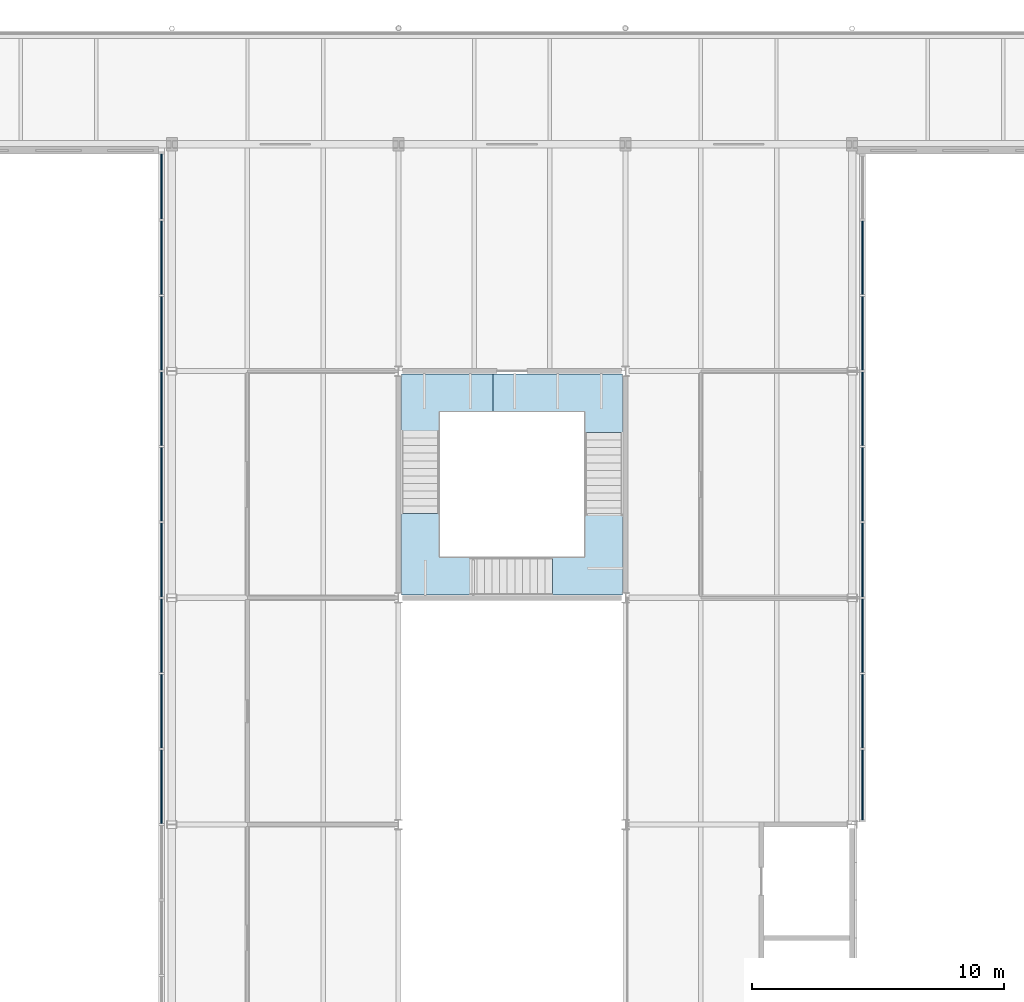
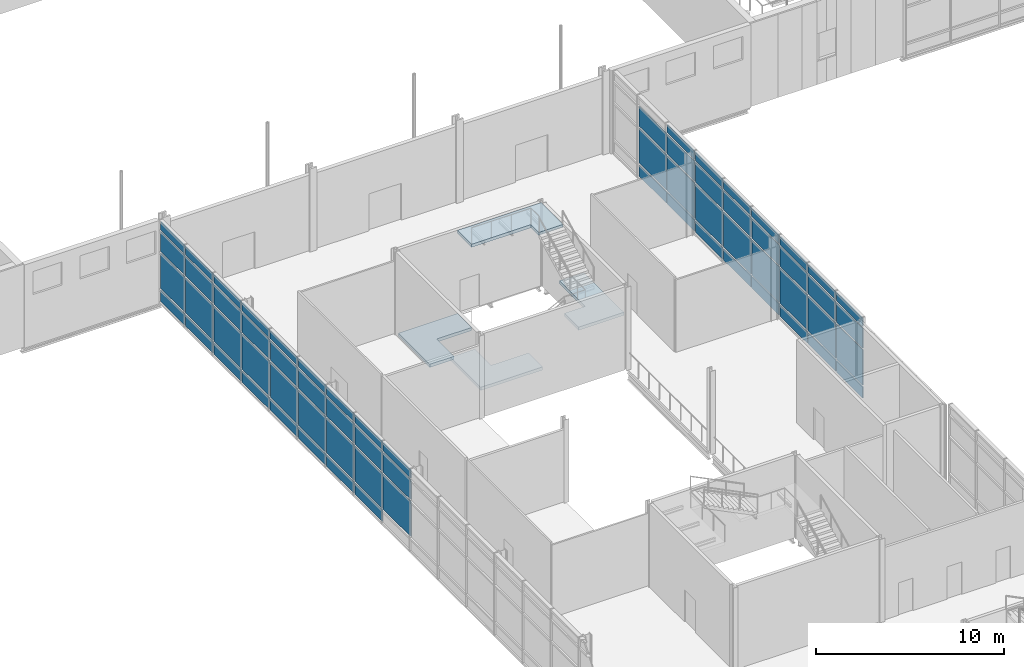
# One storey, part 33 of 56: 66 plates, 4 slabs, 3 elements without a shape of their own.
"""IFC4 building model written with IfcOpenShell, lengths in metres."""

from ifc_helpers import new_model, si_unit, direction, frame, origin, origin_2d, place, context, subcontext, project, spatial, polyline, rectangle, outline, extrude, material, layer, layer_set, type_object, element, aggregate, save


model = new_model("IFC4")

# Units and contexts
model_context = context("Model", 3, precision=1e-05, world=origin(), true_north=direction((0.0, 1.0)))
body_context = subcontext(model_context, "Body", "Model", "MODEL_VIEW")
ifc_project = project(units=[si_unit("LENGTHUNIT", "METRE"), si_unit("AREAUNIT", "SQUARE_METRE"), si_unit("VOLUMEUNIT", "CUBIC_METRE"), si_unit("PLANEANGLEUNIT", "RADIAN"), si_unit("MASSUNIT", "GRAM", prefix="KILO")], contexts=[model_context])

# Site, building, storey
site_placement = place(None, origin())
site = spatial("IfcSite", under=ifc_project, at=site_placement, CompositionType="ELEMENT")
building_placement = place(site_placement, origin())
building = spatial("IfcBuilding", under=site, at=building_placement, Name="Azimuth Sports and Learning Centre", CompositionType="ELEMENT")
storey_placement = place(building_placement, frame((0.0, 0.0, 5.39990234375)))
storey = spatial("IfcBuildingStorey", under=building, at=storey_placement, Name="L01", CompositionType="ELEMENT", Elevation=5.39990234375)

# Stair, slabs
ifc_material_1 = material(Name="Concrete C32/40", Category="concrete")
stair_type = type_object("IfcStairType", Name="Square-well stair stem cell 5400 storey", PredefinedType="THREE_QUARTER_TURN_STAIR", material=ifc_material_1)
stair_placement = place(storey_placement, origin())
stair = element("IfcStair", 1, at=stair_placement, inside=storey, type_object=stair_type, Name="Stair STD L01-L02", PredefinedType="THREE_QUARTER_TURN_STAIR")
ifc_material_2 = material(Name="Concrete C32/40", Category="concrete")
ifc_layer_1 = layer(ifc_material_2, 0.199951171875)
ifc_layer_set_1 = layer_set([ifc_layer_1], Name="Concrete C32/40")
slab_type = type_object("IfcSlabType", Name="Concrete stair landing", PredefinedType="LANDING", material=ifc_layer_set_1)
slab_1_placement = place(storey_placement, frame((0.0, 0.0, -0.199951171875)))
slab_1 = element("IfcSlab", 2, at=slab_1_placement, type_object=slab_type, Name="Stair STD L01 landing 1", PredefinedType="LANDING", context=body_context, shape_type="SweptSolid", body=[
    extrude(outline(polyline([(82.610107421875, 77.5400390625), (82.610107421875, 79.389892578125), (84.75, 79.389892578125), (84.75, 80.889892578125), (81.110107421875, 80.889892578125), (81.110107421875, 77.5400390625), (82.610107421875, 77.5400390625)])), origin(), (0.0, 0.0, 1.0), 0.199951171875),
])
slab_2_placement = place(storey_placement, frame((0.0, 0.0, 1.60009765625)))
slab_2 = element("IfcSlab", 3, at=slab_2_placement, type_object=slab_type, Name="Stair STD L01 landing 2", PredefinedType="LANDING", context=body_context, shape_type="SweptSolid", body=[
    extrude(outline(polyline([(82.610107421875, 73.610107421875), (82.610107421875, 75.3408203125), (81.110107421875, 75.3408203125), (81.110107421875, 72.110107421875), (84.909912109375, 72.110107421875), (84.909912109375, 73.610107421875), (82.610107421875, 73.610107421875)])), origin(), (0.0, 0.0, 1.0), 0.199951171875),
])
slab_3_placement = place(storey_placement, frame((0.0, 0.0, 3.400146484375)))
slab_3 = element("IfcSlab", 4, at=slab_3_placement, type_object=slab_type, Name="Stair STD L01 landing 3", PredefinedType="LANDING", context=body_context, shape_type="SweptSolid", body=[
    extrude(outline(polyline([(88.389892578125, 73.610107421875), (87.109375, 73.610107421875), (87.109375, 72.110107421875), (89.889892578125, 72.110107421875), (89.889892578125, 76.360107421875), (88.389892578125, 76.360107421875), (88.389892578125, 73.610107421875)])), origin(), (0.0, 0.0, 1.0), 0.199951171875),
])
slab_4_placement = place(storey_placement, frame((0.0, 0.0, 5.2001953125)))
slab_4 = element("IfcSlab", 5, at=slab_4_placement, type_object=slab_type, Name="Stair STD L01 landing 4", PredefinedType="LANDING", context=body_context, shape_type="SweptSolid", body=[
    extrude(outline(polyline([(88.389892578125, 79.389892578125), (88.389892578125, 78.559326171875), (89.889892578125, 78.559326171875), (89.889892578125, 80.889892578125), (84.75, 80.889892578125), (84.75, 79.389892578125), (88.389892578125, 79.389892578125)])), origin(), (0.0, 0.0, 1.0), 0.199951171875),
])
aggregate(stair, [slab_1, slab_2, slab_3, slab_4])

# Curtain wall, plates
ifc_material_3 = material(Name="Aluminium and glass", Category="aluminium")
curtain_wall_type = type_object("IfcCurtainWallType", Name="Curtain wall podium stem 240", PredefinedType="NOTDEFINED", material=ifc_material_3)
curtain_wall_1_placement = place(storey_placement, origin())
curtain_wall_1 = element("IfcCurtainWall", 6, at=curtain_wall_1_placement, inside=storey, type_object=curtain_wall_type, Name="Curtain wall CW01-003", PredefinedType="NOTDEFINED")
ifc_material_4 = material(Name="Insulated aluminium panel", Category="aluminium")
ifc_layer_2 = layer(ifc_material_4, 0.06005859375)
ifc_layer_set_2 = layer_set([ifc_layer_2], Name="Insulated aluminium panel")
plate_type_1 = type_object("IfcPlateType", Name="Spandrel panel 60 mm", PredefinedType="CURTAIN_PANEL", material=ifc_layer_set_2)
plate_1_placement = place(storey_placement, frame((71.580078125, 88.330078125, 0.1201171875), z_axis=(0.0, 0.0, 1.0), x_axis=(0.0, -1.0, 0.0)))
plate_1 = element("IfcPlate", 7, at=plate_1_placement, type_object=plate_type_1, Name="CW01-003 panel 1.1", PredefinedType="CURTAIN_PANEL", context=body_context, shape_type="SweptSolid", body=[
    extrude(rectangle(XDim=2.580078125, YDim=0.06005859375, at=origin_2d()), origin(), (0.0, 0.0, 1.0), 0.719970703125),
])
plate_2_placement = place(storey_placement, frame((71.580078125, 88.330078125, 4.760009765625), z_axis=(0.0, 0.0, 1.0), x_axis=(0.0, -1.0, 0.0)))
plate_2 = element("IfcPlate", 8, at=plate_2_placement, type_object=plate_type_1, Name="CW01-003 panel 1.4", PredefinedType="CURTAIN_PANEL", context=body_context, shape_type="SweptSolid", body=[
    extrude(rectangle(XDim=2.580078125, YDim=0.06005859375, at=origin_2d()), origin(), (0.0, 0.0, 1.0), 0.52001953125),
])
plate_3_placement = place(storey_placement, frame((71.580078125, 85.5, 0.1201171875), z_axis=(0.0, 0.0, 1.0), x_axis=(0.0, -1.0, 0.0)))
plate_3 = element("IfcPlate", 9, at=plate_3_placement, type_object=plate_type_1, Name="CW01-003 panel 2.1", PredefinedType="CURTAIN_PANEL", context=body_context, shape_type="SweptSolid", body=[
    extrude(rectangle(XDim=2.919921875, YDim=0.06005859375, at=origin_2d()), origin(), (0.0, 0.0, 1.0), 0.719970703125),
])
plate_4_placement = place(storey_placement, frame((71.580078125, 85.5, 4.760009765625), z_axis=(0.0, 0.0, 1.0), x_axis=(0.0, -1.0, 0.0)))
plate_4 = element("IfcPlate", 10, at=plate_4_placement, type_object=plate_type_1, Name="CW01-003 panel 2.4", PredefinedType="CURTAIN_PANEL", context=body_context, shape_type="SweptSolid", body=[
    extrude(rectangle(XDim=2.919921875, YDim=0.06005859375, at=origin_2d()), origin(), (0.0, 0.0, 1.0), 0.52001953125),
])
plate_5_placement = place(storey_placement, frame((71.580078125, 82.5, 0.1201171875), z_axis=(0.0, 0.0, 1.0), x_axis=(0.0, -1.0, 0.0)))
plate_5 = element("IfcPlate", 11, at=plate_5_placement, type_object=plate_type_1, Name="CW01-003 panel 3.1", PredefinedType="CURTAIN_PANEL", context=body_context, shape_type="SweptSolid", body=[
    extrude(rectangle(XDim=2.919921875, YDim=0.06005859375, at=origin_2d()), origin(), (0.0, 0.0, 1.0), 0.719970703125),
])
plate_6_placement = place(storey_placement, frame((71.580078125, 82.5, 4.760009765625), z_axis=(0.0, 0.0, 1.0), x_axis=(0.0, -1.0, 0.0)))
plate_6 = element("IfcPlate", 12, at=plate_6_placement, type_object=plate_type_1, Name="CW01-003 panel 3.4", PredefinedType="CURTAIN_PANEL", context=body_context, shape_type="SweptSolid", body=[
    extrude(rectangle(XDim=2.919921875, YDim=0.06005859375, at=origin_2d()), origin(), (0.0, 0.0, 1.0), 0.52001953125),
])
plate_7_placement = place(storey_placement, frame((71.580078125, 79.5, 0.1201171875), z_axis=(0.0, 0.0, 1.0), x_axis=(0.0, -1.0, 0.0)))
plate_7 = element("IfcPlate", 13, at=plate_7_placement, type_object=plate_type_1, Name="CW01-003 panel 4.1", PredefinedType="CURTAIN_PANEL", context=body_context, shape_type="SweptSolid", body=[
    extrude(rectangle(XDim=2.919921875, YDim=0.06005859375, at=origin_2d()), origin(), (0.0, 0.0, 1.0), 0.719970703125),
])
plate_8_placement = place(storey_placement, frame((71.580078125, 79.5, 4.760009765625), z_axis=(0.0, 0.0, 1.0), x_axis=(0.0, -1.0, 0.0)))
plate_8 = element("IfcPlate", 14, at=plate_8_placement, type_object=plate_type_1, Name="CW01-003 panel 4.4", PredefinedType="CURTAIN_PANEL", context=body_context, shape_type="SweptSolid", body=[
    extrude(rectangle(XDim=2.919921875, YDim=0.06005859375, at=origin_2d()), origin(), (0.0, 0.0, 1.0), 0.52001953125),
])
plate_9_placement = place(storey_placement, frame((71.580078125, 76.5, 0.1201171875), z_axis=(0.0, 0.0, 1.0), x_axis=(0.0, -1.0, 0.0)))
plate_9 = element("IfcPlate", 15, at=plate_9_placement, type_object=plate_type_1, Name="CW01-003 panel 5.1", PredefinedType="CURTAIN_PANEL", context=body_context, shape_type="SweptSolid", body=[
    extrude(rectangle(XDim=2.919921875, YDim=0.06005859375, at=origin_2d()), origin(), (0.0, 0.0, 1.0), 0.719970703125),
])
plate_10_placement = place(storey_placement, frame((71.580078125, 76.5, 4.760009765625), z_axis=(0.0, 0.0, 1.0), x_axis=(0.0, -1.0, 0.0)))
plate_10 = element("IfcPlate", 16, at=plate_10_placement, type_object=plate_type_1, Name="CW01-003 panel 5.4", PredefinedType="CURTAIN_PANEL", context=body_context, shape_type="SweptSolid", body=[
    extrude(rectangle(XDim=2.919921875, YDim=0.06005859375, at=origin_2d()), origin(), (0.0, 0.0, 1.0), 0.52001953125),
])
plate_11_placement = place(storey_placement, frame((71.580078125, 73.5, 0.1201171875), z_axis=(0.0, 0.0, 1.0), x_axis=(0.0, -1.0, 0.0)))
plate_11 = element("IfcPlate", 17, at=plate_11_placement, type_object=plate_type_1, Name="CW01-003 panel 6.1", PredefinedType="CURTAIN_PANEL", context=body_context, shape_type="SweptSolid", body=[
    extrude(rectangle(XDim=2.919921875, YDim=0.06005859375, at=origin_2d()), origin(), (0.0, 0.0, 1.0), 0.719970703125),
])
plate_12_placement = place(storey_placement, frame((71.580078125, 73.5, 4.760009765625), z_axis=(0.0, 0.0, 1.0), x_axis=(0.0, -1.0, 0.0)))
plate_12 = element("IfcPlate", 18, at=plate_12_placement, type_object=plate_type_1, Name="CW01-003 panel 6.4", PredefinedType="CURTAIN_PANEL", context=body_context, shape_type="SweptSolid", body=[
    extrude(rectangle(XDim=2.919921875, YDim=0.06005859375, at=origin_2d()), origin(), (0.0, 0.0, 1.0), 0.52001953125),
])
plate_13_placement = place(storey_placement, frame((71.580078125, 70.5, 0.1201171875), z_axis=(0.0, 0.0, 1.0), x_axis=(0.0, -1.0, 0.0)))
plate_13 = element("IfcPlate", 19, at=plate_13_placement, type_object=plate_type_1, Name="CW01-003 panel 7.1", PredefinedType="CURTAIN_PANEL", context=body_context, shape_type="SweptSolid", body=[
    extrude(rectangle(XDim=2.919921875, YDim=0.06005859375, at=origin_2d()), origin(), (0.0, 0.0, 1.0), 0.719970703125),
])
plate_14_placement = place(storey_placement, frame((71.580078125, 70.5, 4.760009765625), z_axis=(0.0, 0.0, 1.0), x_axis=(0.0, -1.0, 0.0)))
plate_14 = element("IfcPlate", 20, at=plate_14_placement, type_object=plate_type_1, Name="CW01-003 panel 7.4", PredefinedType="CURTAIN_PANEL", context=body_context, shape_type="SweptSolid", body=[
    extrude(rectangle(XDim=2.919921875, YDim=0.06005859375, at=origin_2d()), origin(), (0.0, 0.0, 1.0), 0.52001953125),
])
plate_15_placement = place(storey_placement, frame((71.580078125, 67.5, 0.1201171875), z_axis=(0.0, 0.0, 1.0), x_axis=(0.0, -1.0, 0.0)))
plate_15 = element("IfcPlate", 21, at=plate_15_placement, type_object=plate_type_1, Name="CW01-003 panel 8.1", PredefinedType="CURTAIN_PANEL", context=body_context, shape_type="SweptSolid", body=[
    extrude(rectangle(XDim=2.919921875, YDim=0.06005859375, at=origin_2d()), origin(), (0.0, 0.0, 1.0), 0.719970703125),
])
plate_16_placement = place(storey_placement, frame((71.580078125, 67.5, 4.760009765625), z_axis=(0.0, 0.0, 1.0), x_axis=(0.0, -1.0, 0.0)))
plate_16 = element("IfcPlate", 22, at=plate_16_placement, type_object=plate_type_1, Name="CW01-003 panel 8.4", PredefinedType="CURTAIN_PANEL", context=body_context, shape_type="SweptSolid", body=[
    extrude(rectangle(XDim=2.919921875, YDim=0.06005859375, at=origin_2d()), origin(), (0.0, 0.0, 1.0), 0.52001953125),
])
plate_17_placement = place(storey_placement, frame((71.580078125, 64.5, 4.760009765625), z_axis=(0.0, 0.0, 1.0), x_axis=(0.0, -1.0, 0.0)))
plate_17 = element("IfcPlate", 23, at=plate_17_placement, type_object=plate_type_1, Name="CW01-003 panel 9.4", PredefinedType="CURTAIN_PANEL", context=body_context, shape_type="SweptSolid", body=[
    extrude(rectangle(XDim=2.919921875, YDim=0.06005859375, at=origin_2d()), origin(), (0.0, 0.0, 1.0), 0.52001953125),
])

curtain_wall_2_placement = place(storey_placement, origin())
curtain_wall_2 = element("IfcCurtainWall", 24, at=curtain_wall_2_placement, inside=storey, type_object=curtain_wall_type, Name="Curtain wall CW01-008", PredefinedType="NOTDEFINED")
plate_18_placement = place(storey_placement, frame((99.419921875, 64.570068359375, 0.1201171875), z_axis=(0.0, 0.0, 1.0), x_axis=(0.0, 1.0, 0.0)))
plate_18 = element("IfcPlate", 25, at=plate_18_placement, type_object=plate_type_1, Name="CW01-008 panel 1.1", PredefinedType="CURTAIN_PANEL", context=body_context, shape_type="SweptSolid", body=[
    extrude(rectangle(XDim=2.780029296875, YDim=0.06005859375, at=origin_2d()), origin(), (0.0, 0.0, 1.0), 0.719970703125),
])
plate_19_placement = place(storey_placement, frame((99.419921875, 64.570068359375, 4.760009765625), z_axis=(0.0, 0.0, 1.0), x_axis=(0.0, 1.0, 0.0)))
plate_19 = element("IfcPlate", 26, at=plate_19_placement, type_object=plate_type_1, Name="CW01-008 panel 1.4", PredefinedType="CURTAIN_PANEL", context=body_context, shape_type="SweptSolid", body=[
    extrude(rectangle(XDim=2.780029296875, YDim=0.06005859375, at=origin_2d()), origin(), (0.0, 0.0, 1.0), 0.52001953125),
])
plate_20_placement = place(storey_placement, frame((99.419921875, 67.5, 0.1201171875), z_axis=(0.0, 0.0, 1.0), x_axis=(0.0, 1.0, 0.0)))
plate_20 = element("IfcPlate", 27, at=plate_20_placement, type_object=plate_type_1, Name="CW01-008 panel 2.1", PredefinedType="CURTAIN_PANEL", context=body_context, shape_type="SweptSolid", body=[
    extrude(rectangle(XDim=2.919921875, YDim=0.06005859375, at=origin_2d()), origin(), (0.0, 0.0, 1.0), 0.719970703125),
])
plate_21_placement = place(storey_placement, frame((99.419921875, 67.5, 4.760009765625), z_axis=(0.0, 0.0, 1.0), x_axis=(0.0, 1.0, 0.0)))
plate_21 = element("IfcPlate", 28, at=plate_21_placement, type_object=plate_type_1, Name="CW01-008 panel 2.4", PredefinedType="CURTAIN_PANEL", context=body_context, shape_type="SweptSolid", body=[
    extrude(rectangle(XDim=2.919921875, YDim=0.06005859375, at=origin_2d()), origin(), (0.0, 0.0, 1.0), 0.52001953125),
])
plate_22_placement = place(storey_placement, frame((99.419921875, 70.5, 0.1201171875), z_axis=(0.0, 0.0, 1.0), x_axis=(0.0, 1.0, 0.0)))
plate_22 = element("IfcPlate", 29, at=plate_22_placement, type_object=plate_type_1, Name="CW01-008 panel 3.1", PredefinedType="CURTAIN_PANEL", context=body_context, shape_type="SweptSolid", body=[
    extrude(rectangle(XDim=2.919921875, YDim=0.06005859375, at=origin_2d()), origin(), (0.0, 0.0, 1.0), 0.719970703125),
])
plate_23_placement = place(storey_placement, frame((99.419921875, 70.5, 4.760009765625), z_axis=(0.0, 0.0, 1.0), x_axis=(0.0, 1.0, 0.0)))
plate_23 = element("IfcPlate", 30, at=plate_23_placement, type_object=plate_type_1, Name="CW01-008 panel 3.4", PredefinedType="CURTAIN_PANEL", context=body_context, shape_type="SweptSolid", body=[
    extrude(rectangle(XDim=2.919921875, YDim=0.06005859375, at=origin_2d()), origin(), (0.0, 0.0, 1.0), 0.52001953125),
])
plate_24_placement = place(storey_placement, frame((99.419921875, 73.5, 0.1201171875), z_axis=(0.0, 0.0, 1.0), x_axis=(0.0, 1.0, 0.0)))
plate_24 = element("IfcPlate", 31, at=plate_24_placement, type_object=plate_type_1, Name="CW01-008 panel 4.1", PredefinedType="CURTAIN_PANEL", context=body_context, shape_type="SweptSolid", body=[
    extrude(rectangle(XDim=2.919921875, YDim=0.06005859375, at=origin_2d()), origin(), (0.0, 0.0, 1.0), 0.719970703125),
])
plate_25_placement = place(storey_placement, frame((99.419921875, 73.5, 4.760009765625), z_axis=(0.0, 0.0, 1.0), x_axis=(0.0, 1.0, 0.0)))
plate_25 = element("IfcPlate", 32, at=plate_25_placement, type_object=plate_type_1, Name="CW01-008 panel 4.4", PredefinedType="CURTAIN_PANEL", context=body_context, shape_type="SweptSolid", body=[
    extrude(rectangle(XDim=2.919921875, YDim=0.06005859375, at=origin_2d()), origin(), (0.0, 0.0, 1.0), 0.52001953125),
])
plate_26_placement = place(storey_placement, frame((99.419921875, 76.5, 0.1201171875), z_axis=(0.0, 0.0, 1.0), x_axis=(0.0, 1.0, 0.0)))
plate_26 = element("IfcPlate", 33, at=plate_26_placement, type_object=plate_type_1, Name="CW01-008 panel 5.1", PredefinedType="CURTAIN_PANEL", context=body_context, shape_type="SweptSolid", body=[
    extrude(rectangle(XDim=2.919921875, YDim=0.06005859375, at=origin_2d()), origin(), (0.0, 0.0, 1.0), 0.719970703125),
])
plate_27_placement = place(storey_placement, frame((99.419921875, 76.5, 4.760009765625), z_axis=(0.0, 0.0, 1.0), x_axis=(0.0, 1.0, 0.0)))
plate_27 = element("IfcPlate", 34, at=plate_27_placement, type_object=plate_type_1, Name="CW01-008 panel 5.4", PredefinedType="CURTAIN_PANEL", context=body_context, shape_type="SweptSolid", body=[
    extrude(rectangle(XDim=2.919921875, YDim=0.06005859375, at=origin_2d()), origin(), (0.0, 0.0, 1.0), 0.52001953125),
])
plate_28_placement = place(storey_placement, frame((99.419921875, 79.5, 0.1201171875), z_axis=(0.0, 0.0, 1.0), x_axis=(0.0, 1.0, 0.0)))
plate_28 = element("IfcPlate", 35, at=plate_28_placement, type_object=plate_type_1, Name="CW01-008 panel 6.1", PredefinedType="CURTAIN_PANEL", context=body_context, shape_type="SweptSolid", body=[
    extrude(rectangle(XDim=2.919921875, YDim=0.06005859375, at=origin_2d()), origin(), (0.0, 0.0, 1.0), 0.719970703125),
])
plate_29_placement = place(storey_placement, frame((99.419921875, 79.5, 4.760009765625), z_axis=(0.0, 0.0, 1.0), x_axis=(0.0, 1.0, 0.0)))
plate_29 = element("IfcPlate", 36, at=plate_29_placement, type_object=plate_type_1, Name="CW01-008 panel 6.4", PredefinedType="CURTAIN_PANEL", context=body_context, shape_type="SweptSolid", body=[
    extrude(rectangle(XDim=2.919921875, YDim=0.06005859375, at=origin_2d()), origin(), (0.0, 0.0, 1.0), 0.52001953125),
])
plate_30_placement = place(storey_placement, frame((99.419921875, 82.5, 0.1201171875), z_axis=(0.0, 0.0, 1.0), x_axis=(0.0, 1.0, 0.0)))
plate_30 = element("IfcPlate", 37, at=plate_30_placement, type_object=plate_type_1, Name="CW01-008 panel 7.1", PredefinedType="CURTAIN_PANEL", context=body_context, shape_type="SweptSolid", body=[
    extrude(rectangle(XDim=2.919921875, YDim=0.06005859375, at=origin_2d()), origin(), (0.0, 0.0, 1.0), 0.719970703125),
])
plate_31_placement = place(storey_placement, frame((99.419921875, 82.5, 4.760009765625), z_axis=(0.0, 0.0, 1.0), x_axis=(0.0, 1.0, 0.0)))
plate_31 = element("IfcPlate", 38, at=plate_31_placement, type_object=plate_type_1, Name="CW01-008 panel 7.4", PredefinedType="CURTAIN_PANEL", context=body_context, shape_type="SweptSolid", body=[
    extrude(rectangle(XDim=2.919921875, YDim=0.06005859375, at=origin_2d()), origin(), (0.0, 0.0, 1.0), 0.52001953125),
])
plate_32_placement = place(storey_placement, frame((99.419921875, 85.5, 0.1201171875), z_axis=(0.0, 0.0, 1.0), x_axis=(0.0, 1.0, 0.0)))
plate_32 = element("IfcPlate", 39, at=plate_32_placement, type_object=plate_type_1, Name="CW01-008 panel 8.1", PredefinedType="CURTAIN_PANEL", context=body_context, shape_type="SweptSolid", body=[
    extrude(rectangle(XDim=2.919921875, YDim=0.06005859375, at=origin_2d()), origin(), (0.0, 0.0, 1.0), 0.719970703125),
])

# Plate
ifc_material_5 = material(Name="Glass", Category="glass")
ifc_layer_3 = layer(ifc_material_5, 0.0439453125)
ifc_layer_set_3 = layer_set([ifc_layer_3], Name="Glass")
plate_type_2 = type_object("IfcPlateType", Name="Vision glass 44 mm", PredefinedType="CURTAIN_PANEL", material=ifc_layer_set_3)
plate_33_placement = place(storey_placement, frame((71.580078125, 88.330078125, 0.9599609375), z_axis=(0.0, 0.0, 1.0), x_axis=(0.0, -1.0, 0.0)))
plate_33 = element("IfcPlate", 40, at=plate_33_placement, type_object=plate_type_2, Name="CW01-003 panel 1.2", PredefinedType="CURTAIN_PANEL", context=body_context, shape_type="SweptSolid", body=[
    extrude(rectangle(XDim=2.580078125, YDim=0.0439453125, at=origin_2d()), origin(), (0.0, 0.0, 1.0), 2.280029296875),
])

plate_34_placement = place(storey_placement, frame((71.580078125, 88.330078125, 3.35986328125), z_axis=(0.0, 0.0, 1.0), x_axis=(0.0, -1.0, 0.0)))
plate_34 = element("IfcPlate", 41, at=plate_34_placement, type_object=plate_type_2, Name="CW01-003 panel 1.3", PredefinedType="CURTAIN_PANEL", context=body_context, shape_type="SweptSolid", body=[
    extrude(rectangle(XDim=2.580078125, YDim=0.0439453125, at=origin_2d()), origin(), (0.0, 0.0, 1.0), 1.280029296875),
])

plate_35_placement = place(storey_placement, frame((71.580078125, 85.5, 0.9599609375), z_axis=(0.0, 0.0, 1.0), x_axis=(0.0, -1.0, 0.0)))
plate_35 = element("IfcPlate", 42, at=plate_35_placement, type_object=plate_type_2, Name="CW01-003 panel 2.2", PredefinedType="CURTAIN_PANEL", context=body_context, shape_type="SweptSolid", body=[
    extrude(rectangle(XDim=2.919921875, YDim=0.0439453125, at=origin_2d()), origin(), (0.0, 0.0, 1.0), 2.280029296875),
])

plate_36_placement = place(storey_placement, frame((71.580078125, 85.5, 3.35986328125), z_axis=(0.0, 0.0, 1.0), x_axis=(0.0, -1.0, 0.0)))
plate_36 = element("IfcPlate", 43, at=plate_36_placement, type_object=plate_type_2, Name="CW01-003 panel 2.3", PredefinedType="CURTAIN_PANEL", context=body_context, shape_type="SweptSolid", body=[
    extrude(rectangle(XDim=2.919921875, YDim=0.0439453125, at=origin_2d()), origin(), (0.0, 0.0, 1.0), 1.280029296875),
])

plate_37_placement = place(storey_placement, frame((71.580078125, 82.5, 0.9599609375), z_axis=(0.0, 0.0, 1.0), x_axis=(0.0, -1.0, 0.0)))
plate_37 = element("IfcPlate", 44, at=plate_37_placement, type_object=plate_type_2, Name="CW01-003 panel 3.2", PredefinedType="CURTAIN_PANEL", context=body_context, shape_type="SweptSolid", body=[
    extrude(rectangle(XDim=2.919921875, YDim=0.0439453125, at=origin_2d()), origin(), (0.0, 0.0, 1.0), 2.280029296875),
])

plate_38_placement = place(storey_placement, frame((71.580078125, 82.5, 3.35986328125), z_axis=(0.0, 0.0, 1.0), x_axis=(0.0, -1.0, 0.0)))
plate_38 = element("IfcPlate", 45, at=plate_38_placement, type_object=plate_type_2, Name="CW01-003 panel 3.3", PredefinedType="CURTAIN_PANEL", context=body_context, shape_type="SweptSolid", body=[
    extrude(rectangle(XDim=2.919921875, YDim=0.0439453125, at=origin_2d()), origin(), (0.0, 0.0, 1.0), 1.280029296875),
])

plate_39_placement = place(storey_placement, frame((71.580078125, 79.5, 0.9599609375), z_axis=(0.0, 0.0, 1.0), x_axis=(0.0, -1.0, 0.0)))
plate_39 = element("IfcPlate", 46, at=plate_39_placement, type_object=plate_type_2, Name="CW01-003 panel 4.2", PredefinedType="CURTAIN_PANEL", context=body_context, shape_type="SweptSolid", body=[
    extrude(rectangle(XDim=2.919921875, YDim=0.0439453125, at=origin_2d()), origin(), (0.0, 0.0, 1.0), 2.280029296875),
])

plate_40_placement = place(storey_placement, frame((71.580078125, 79.5, 3.35986328125), z_axis=(0.0, 0.0, 1.0), x_axis=(0.0, -1.0, 0.0)))
plate_40 = element("IfcPlate", 47, at=plate_40_placement, type_object=plate_type_2, Name="CW01-003 panel 4.3", PredefinedType="CURTAIN_PANEL", context=body_context, shape_type="SweptSolid", body=[
    extrude(rectangle(XDim=2.919921875, YDim=0.0439453125, at=origin_2d()), origin(), (0.0, 0.0, 1.0), 1.280029296875),
])

plate_41_placement = place(storey_placement, frame((71.580078125, 76.5, 0.9599609375), z_axis=(0.0, 0.0, 1.0), x_axis=(0.0, -1.0, 0.0)))
plate_41 = element("IfcPlate", 48, at=plate_41_placement, type_object=plate_type_2, Name="CW01-003 panel 5.2", PredefinedType="CURTAIN_PANEL", context=body_context, shape_type="SweptSolid", body=[
    extrude(rectangle(XDim=2.919921875, YDim=0.0439453125, at=origin_2d()), origin(), (0.0, 0.0, 1.0), 2.280029296875),
])

plate_42_placement = place(storey_placement, frame((71.580078125, 76.5, 3.35986328125), z_axis=(0.0, 0.0, 1.0), x_axis=(0.0, -1.0, 0.0)))
plate_42 = element("IfcPlate", 49, at=plate_42_placement, type_object=plate_type_2, Name="CW01-003 panel 5.3", PredefinedType="CURTAIN_PANEL", context=body_context, shape_type="SweptSolid", body=[
    extrude(rectangle(XDim=2.919921875, YDim=0.0439453125, at=origin_2d()), origin(), (0.0, 0.0, 1.0), 1.280029296875),
])

plate_43_placement = place(storey_placement, frame((71.580078125, 73.5, 0.9599609375), z_axis=(0.0, 0.0, 1.0), x_axis=(0.0, -1.0, 0.0)))
plate_43 = element("IfcPlate", 50, at=plate_43_placement, type_object=plate_type_2, Name="CW01-003 panel 6.2", PredefinedType="CURTAIN_PANEL", context=body_context, shape_type="SweptSolid", body=[
    extrude(rectangle(XDim=2.919921875, YDim=0.0439453125, at=origin_2d()), origin(), (0.0, 0.0, 1.0), 2.280029296875),
])

plate_44_placement = place(storey_placement, frame((71.580078125, 73.5, 3.35986328125), z_axis=(0.0, 0.0, 1.0), x_axis=(0.0, -1.0, 0.0)))
plate_44 = element("IfcPlate", 51, at=plate_44_placement, type_object=plate_type_2, Name="CW01-003 panel 6.3", PredefinedType="CURTAIN_PANEL", context=body_context, shape_type="SweptSolid", body=[
    extrude(rectangle(XDim=2.919921875, YDim=0.0439453125, at=origin_2d()), origin(), (0.0, 0.0, 1.0), 1.280029296875),
])

plate_45_placement = place(storey_placement, frame((71.580078125, 70.5, 0.9599609375), z_axis=(0.0, 0.0, 1.0), x_axis=(0.0, -1.0, 0.0)))
plate_45 = element("IfcPlate", 52, at=plate_45_placement, type_object=plate_type_2, Name="CW01-003 panel 7.2", PredefinedType="CURTAIN_PANEL", context=body_context, shape_type="SweptSolid", body=[
    extrude(rectangle(XDim=2.919921875, YDim=0.0439453125, at=origin_2d()), origin(), (0.0, 0.0, 1.0), 2.280029296875),
])

plate_46_placement = place(storey_placement, frame((71.580078125, 70.5, 3.35986328125), z_axis=(0.0, 0.0, 1.0), x_axis=(0.0, -1.0, 0.0)))
plate_46 = element("IfcPlate", 53, at=plate_46_placement, type_object=plate_type_2, Name="CW01-003 panel 7.3", PredefinedType="CURTAIN_PANEL", context=body_context, shape_type="SweptSolid", body=[
    extrude(rectangle(XDim=2.919921875, YDim=0.0439453125, at=origin_2d()), origin(), (0.0, 0.0, 1.0), 1.280029296875),
])

plate_47_placement = place(storey_placement, frame((71.580078125, 67.5, 0.9599609375), z_axis=(0.0, 0.0, 1.0), x_axis=(0.0, -1.0, 0.0)))
plate_47 = element("IfcPlate", 54, at=plate_47_placement, type_object=plate_type_2, Name="CW01-003 panel 8.2", PredefinedType="CURTAIN_PANEL", context=body_context, shape_type="SweptSolid", body=[
    extrude(rectangle(XDim=2.919921875, YDim=0.0439453125, at=origin_2d()), origin(), (0.0, 0.0, 1.0), 2.280029296875),
])

plate_48_placement = place(storey_placement, frame((71.580078125, 67.5, 3.35986328125), z_axis=(0.0, 0.0, 1.0), x_axis=(0.0, -1.0, 0.0)))
plate_48 = element("IfcPlate", 55, at=plate_48_placement, type_object=plate_type_2, Name="CW01-003 panel 8.3", PredefinedType="CURTAIN_PANEL", context=body_context, shape_type="SweptSolid", body=[
    extrude(rectangle(XDim=2.919921875, YDim=0.0439453125, at=origin_2d()), origin(), (0.0, 0.0, 1.0), 1.280029296875),
])

plate_49_placement = place(storey_placement, frame((71.580078125, 64.5, 0.9599609375), z_axis=(0.0, 0.0, 1.0), x_axis=(0.0, -1.0, 0.0)))
plate_49 = element("IfcPlate", 56, at=plate_49_placement, type_object=plate_type_2, Name="CW01-003 panel 9.2", PredefinedType="CURTAIN_PANEL", context=body_context, shape_type="SweptSolid", body=[
    extrude(rectangle(XDim=2.919921875, YDim=0.0439453125, at=origin_2d()), origin(), (0.0, 0.0, 1.0), 2.280029296875),
])

plate_50_placement = place(storey_placement, frame((71.580078125, 64.5, 3.35986328125), z_axis=(0.0, 0.0, 1.0), x_axis=(0.0, -1.0, 0.0)))
plate_50 = element("IfcPlate", 57, at=plate_50_placement, type_object=plate_type_2, Name="CW01-003 panel 9.3", PredefinedType="CURTAIN_PANEL", context=body_context, shape_type="SweptSolid", body=[
    extrude(rectangle(XDim=2.919921875, YDim=0.0439453125, at=origin_2d()), origin(), (0.0, 0.0, 1.0), 1.280029296875),
])

aggregate(curtain_wall_1, [plate_1, plate_33, plate_34, plate_2, plate_3, plate_35, plate_36, plate_4, plate_5, plate_37, plate_38, plate_6, plate_7, plate_39, plate_40, plate_8, plate_9, plate_41, plate_42, plate_10, plate_11, plate_43, plate_44, plate_12, plate_13, plate_45, plate_46, plate_14, plate_15, plate_47, plate_48, plate_16, plate_49, plate_50, plate_17])

plate_51_placement = place(storey_placement, frame((99.419921875, 64.570068359375, 0.9599609375), z_axis=(0.0, 0.0, 1.0), x_axis=(0.0, 1.0, 0.0)))
plate_51 = element("IfcPlate", 58, at=plate_51_placement, type_object=plate_type_2, Name="CW01-008 panel 1.2", PredefinedType="CURTAIN_PANEL", context=body_context, shape_type="SweptSolid", body=[
    extrude(rectangle(XDim=2.780029296875, YDim=0.0439453125, at=origin_2d()), origin(), (0.0, 0.0, 1.0), 2.280029296875),
])

plate_52_placement = place(storey_placement, frame((99.419921875, 64.570068359375, 3.35986328125), z_axis=(0.0, 0.0, 1.0), x_axis=(0.0, 1.0, 0.0)))
plate_52 = element("IfcPlate", 59, at=plate_52_placement, type_object=plate_type_2, Name="CW01-008 panel 1.3", PredefinedType="CURTAIN_PANEL", context=body_context, shape_type="SweptSolid", body=[
    extrude(rectangle(XDim=2.780029296875, YDim=0.0439453125, at=origin_2d()), origin(), (0.0, 0.0, 1.0), 1.280029296875),
])

plate_53_placement = place(storey_placement, frame((99.419921875, 67.5, 0.9599609375), z_axis=(0.0, 0.0, 1.0), x_axis=(0.0, 1.0, 0.0)))
plate_53 = element("IfcPlate", 60, at=plate_53_placement, type_object=plate_type_2, Name="CW01-008 panel 2.2", PredefinedType="CURTAIN_PANEL", context=body_context, shape_type="SweptSolid", body=[
    extrude(rectangle(XDim=2.919921875, YDim=0.0439453125, at=origin_2d()), origin(), (0.0, 0.0, 1.0), 2.280029296875),
])

plate_54_placement = place(storey_placement, frame((99.419921875, 67.5, 3.35986328125), z_axis=(0.0, 0.0, 1.0), x_axis=(0.0, 1.0, 0.0)))
plate_54 = element("IfcPlate", 61, at=plate_54_placement, type_object=plate_type_2, Name="CW01-008 panel 2.3", PredefinedType="CURTAIN_PANEL", context=body_context, shape_type="SweptSolid", body=[
    extrude(rectangle(XDim=2.919921875, YDim=0.0439453125, at=origin_2d()), origin(), (0.0, 0.0, 1.0), 1.280029296875),
])

plate_55_placement = place(storey_placement, frame((99.419921875, 70.5, 0.9599609375), z_axis=(0.0, 0.0, 1.0), x_axis=(0.0, 1.0, 0.0)))
plate_55 = element("IfcPlate", 62, at=plate_55_placement, type_object=plate_type_2, Name="CW01-008 panel 3.2", PredefinedType="CURTAIN_PANEL", context=body_context, shape_type="SweptSolid", body=[
    extrude(rectangle(XDim=2.919921875, YDim=0.0439453125, at=origin_2d()), origin(), (0.0, 0.0, 1.0), 2.280029296875),
])

plate_56_placement = place(storey_placement, frame((99.419921875, 70.5, 3.35986328125), z_axis=(0.0, 0.0, 1.0), x_axis=(0.0, 1.0, 0.0)))
plate_56 = element("IfcPlate", 63, at=plate_56_placement, type_object=plate_type_2, Name="CW01-008 panel 3.3", PredefinedType="CURTAIN_PANEL", context=body_context, shape_type="SweptSolid", body=[
    extrude(rectangle(XDim=2.919921875, YDim=0.0439453125, at=origin_2d()), origin(), (0.0, 0.0, 1.0), 1.280029296875),
])

plate_57_placement = place(storey_placement, frame((99.419921875, 73.5, 0.9599609375), z_axis=(0.0, 0.0, 1.0), x_axis=(0.0, 1.0, 0.0)))
plate_57 = element("IfcPlate", 64, at=plate_57_placement, type_object=plate_type_2, Name="CW01-008 panel 4.2", PredefinedType="CURTAIN_PANEL", context=body_context, shape_type="SweptSolid", body=[
    extrude(rectangle(XDim=2.919921875, YDim=0.0439453125, at=origin_2d()), origin(), (0.0, 0.0, 1.0), 2.280029296875),
])

plate_58_placement = place(storey_placement, frame((99.419921875, 73.5, 3.35986328125), z_axis=(0.0, 0.0, 1.0), x_axis=(0.0, 1.0, 0.0)))
plate_58 = element("IfcPlate", 65, at=plate_58_placement, type_object=plate_type_2, Name="CW01-008 panel 4.3", PredefinedType="CURTAIN_PANEL", context=body_context, shape_type="SweptSolid", body=[
    extrude(rectangle(XDim=2.919921875, YDim=0.0439453125, at=origin_2d()), origin(), (0.0, 0.0, 1.0), 1.280029296875),
])

plate_59_placement = place(storey_placement, frame((99.419921875, 76.5, 0.9599609375), z_axis=(0.0, 0.0, 1.0), x_axis=(0.0, 1.0, 0.0)))
plate_59 = element("IfcPlate", 66, at=plate_59_placement, type_object=plate_type_2, Name="CW01-008 panel 5.2", PredefinedType="CURTAIN_PANEL", context=body_context, shape_type="SweptSolid", body=[
    extrude(rectangle(XDim=2.919921875, YDim=0.0439453125, at=origin_2d()), origin(), (0.0, 0.0, 1.0), 2.280029296875),
])

plate_60_placement = place(storey_placement, frame((99.419921875, 76.5, 3.35986328125), z_axis=(0.0, 0.0, 1.0), x_axis=(0.0, 1.0, 0.0)))
plate_60 = element("IfcPlate", 67, at=plate_60_placement, type_object=plate_type_2, Name="CW01-008 panel 5.3", PredefinedType="CURTAIN_PANEL", context=body_context, shape_type="SweptSolid", body=[
    extrude(rectangle(XDim=2.919921875, YDim=0.0439453125, at=origin_2d()), origin(), (0.0, 0.0, 1.0), 1.280029296875),
])

plate_61_placement = place(storey_placement, frame((99.419921875, 79.5, 0.9599609375), z_axis=(0.0, 0.0, 1.0), x_axis=(0.0, 1.0, 0.0)))
plate_61 = element("IfcPlate", 68, at=plate_61_placement, type_object=plate_type_2, Name="CW01-008 panel 6.2", PredefinedType="CURTAIN_PANEL", context=body_context, shape_type="SweptSolid", body=[
    extrude(rectangle(XDim=2.919921875, YDim=0.0439453125, at=origin_2d()), origin(), (0.0, 0.0, 1.0), 2.280029296875),
])

plate_62_placement = place(storey_placement, frame((99.419921875, 79.5, 3.35986328125), z_axis=(0.0, 0.0, 1.0), x_axis=(0.0, 1.0, 0.0)))
plate_62 = element("IfcPlate", 69, at=plate_62_placement, type_object=plate_type_2, Name="CW01-008 panel 6.3", PredefinedType="CURTAIN_PANEL", context=body_context, shape_type="SweptSolid", body=[
    extrude(rectangle(XDim=2.919921875, YDim=0.0439453125, at=origin_2d()), origin(), (0.0, 0.0, 1.0), 1.280029296875),
])

plate_63_placement = place(storey_placement, frame((99.419921875, 82.5, 0.9599609375), z_axis=(0.0, 0.0, 1.0), x_axis=(0.0, 1.0, 0.0)))
plate_63 = element("IfcPlate", 70, at=plate_63_placement, type_object=plate_type_2, Name="CW01-008 panel 7.2", PredefinedType="CURTAIN_PANEL", context=body_context, shape_type="SweptSolid", body=[
    extrude(rectangle(XDim=2.919921875, YDim=0.0439453125, at=origin_2d()), origin(), (0.0, 0.0, 1.0), 2.280029296875),
])

plate_64_placement = place(storey_placement, frame((99.419921875, 82.5, 3.35986328125), z_axis=(0.0, 0.0, 1.0), x_axis=(0.0, 1.0, 0.0)))
plate_64 = element("IfcPlate", 71, at=plate_64_placement, type_object=plate_type_2, Name="CW01-008 panel 7.3", PredefinedType="CURTAIN_PANEL", context=body_context, shape_type="SweptSolid", body=[
    extrude(rectangle(XDim=2.919921875, YDim=0.0439453125, at=origin_2d()), origin(), (0.0, 0.0, 1.0), 1.280029296875),
])

plate_65_placement = place(storey_placement, frame((99.419921875, 85.5, 0.9599609375), z_axis=(0.0, 0.0, 1.0), x_axis=(0.0, 1.0, 0.0)))
plate_65 = element("IfcPlate", 72, at=plate_65_placement, type_object=plate_type_2, Name="CW01-008 panel 8.2", PredefinedType="CURTAIN_PANEL", context=body_context, shape_type="SweptSolid", body=[
    extrude(rectangle(XDim=2.919921875, YDim=0.0439453125, at=origin_2d()), origin(), (0.0, 0.0, 1.0), 2.280029296875),
])

plate_66_placement = place(storey_placement, frame((99.419921875, 85.5, 3.35986328125), z_axis=(0.0, 0.0, 1.0), x_axis=(0.0, 1.0, 0.0)))
plate_66 = element("IfcPlate", 73, at=plate_66_placement, type_object=plate_type_2, Name="CW01-008 panel 8.3", PredefinedType="CURTAIN_PANEL", context=body_context, shape_type="SweptSolid", body=[
    extrude(rectangle(XDim=2.919921875, YDim=0.0439453125, at=origin_2d()), origin(), (0.0, 0.0, 1.0), 1.280029296875),
])

aggregate(curtain_wall_2, [plate_18, plate_51, plate_52, plate_19, plate_20, plate_53, plate_54, plate_21, plate_22, plate_55, plate_56, plate_23, plate_24, plate_57, plate_58, plate_25, plate_26, plate_59, plate_60, plate_27, plate_28, plate_61, plate_62, plate_29, plate_30, plate_63, plate_64, plate_31, plate_32, plate_65, plate_66])

save(model, "model.ifc")
